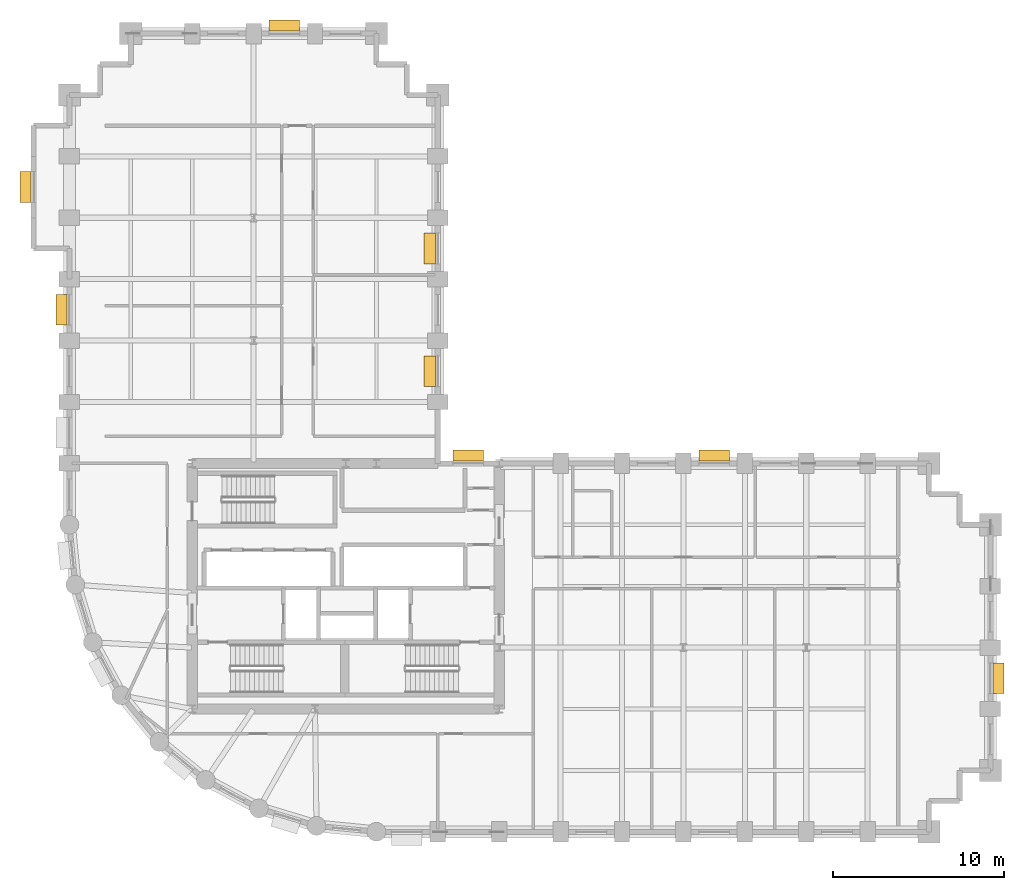
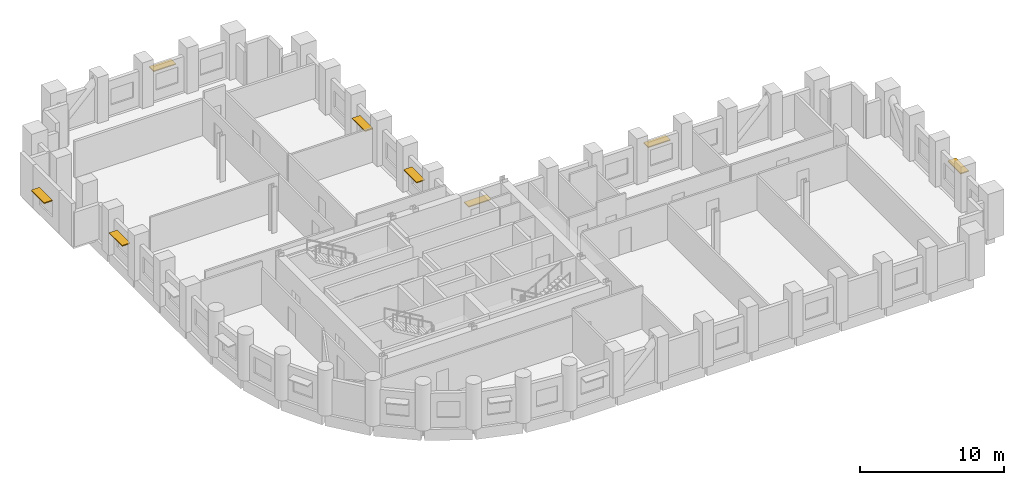
# One storey, part 11 of 11: 8 shading devices.
"""IFC4 building model written with IfcOpenShell, lengths in metres."""

from ifc_helpers import new_model, si_unit, direction, frame, origin, origin_2d, place, context, subcontext, project, spatial, rectangle, extrude, material, layer, layer_set, type_object, element, save


model = new_model("IFC4")

# Units and contexts
model_context = context("Model", 3, precision=1e-05, world=origin(), true_north=direction((0.0, 1.0)))
body_context = subcontext(model_context, "Body", "Model", "MODEL_VIEW")
ifc_project = project(units=[si_unit("LENGTHUNIT", "METRE"), si_unit("AREAUNIT", "SQUARE_METRE"), si_unit("VOLUMEUNIT", "CUBIC_METRE"), si_unit("PLANEANGLEUNIT", "RADIAN"), si_unit("MASSUNIT", "GRAM", prefix="KILO")], contexts=[model_context])

# Site, building, storey
site_placement = place(None, origin())
site = spatial("IfcSite", under=ifc_project, at=site_placement, CompositionType="ELEMENT")
building_placement = place(site_placement, origin())
building = spatial("IfcBuilding", under=site, at=building_placement, Name="Solnavia Interchange Tower", CompositionType="ELEMENT")
storey_placement = place(building_placement, frame((0.0, 0.0, 47.39990234375)))
storey = spatial("IfcBuildingStorey", under=building, at=storey_placement, Name="L11", CompositionType="ELEMENT", Elevation=47.39990234375)

# Shading devices
ifc_material = material(Name="Anodised Aluminium Sunshade", Category="aluminium")
ifc_layer = layer(ifc_material, 0.080078125)
ifc_layer_set = layer_set([ifc_layer], Name="Anodised Aluminium Sunshade")
shading_device_type = type_object("IfcShadingDeviceType", Name="Sunshade-Band-650", PredefinedType="SHUTTER", material=ifc_layer_set)
for number, where, z_axis, x_axis, name in (
    (1, (61.669921875, 12.60009765625, 2.219970703125), (0.0, 0.0, 1.0), (0.0, -1.0, 0.0), "SHD-L11-15 Horizontal sunshade band"),
    (2, (45.0, 25.669921875, 2.219970703125), (0.0, 0.0, 1.0), (1.0, 0.0, 0.0), "SHD-L11-25 Horizontal sunshade band"),
    (3, (30.577880859375, 25.669921875, 2.219970703125), (0.0, 0.0, 1.0), (1.0, 0.0, 0.0), "SHD-L11-29 Horizontal sunshade band"),
    (4, (28.330078125, 30.60009765625, 2.219970703125), (0.0, 0.0, 1.0), (0.0, 1.0, 0.0), "SHD-L11-31 Horizontal sunshade band"),
    (5, (28.330078125, 37.800048828125, 2.219970703125), (0.0, 0.0, 1.0), (0.0, 1.0, 0.0), "SHD-L11-33 Horizontal sunshade band"),
    (6, (19.800048828125, 50.8701171875, 2.219970703125), (0.0, 0.0, 1.0), (1.0, 0.0, 0.0), "SHD-L11-41 Horizontal sunshade band"),
    (7, (4.6298828125, 41.39990234375, 2.219970703125), (0.0, 0.0, 1.0), (0.0, 1.0, 0.0), "SHD-L11-51 Horizontal sunshade band"),
    (8, (6.72998046875, 34.199951171875, 2.219970703125), (0.0, 0.0, 1.0), (0.0, 1.0, 0.0), "SHD-L11-55 Horizontal sunshade band"),
):
    element("IfcShadingDevice", number, at=place(storey_placement, frame(where, z_axis=z_axis, x_axis=x_axis)), inside=storey, type_object=shading_device_type, Name=name, PredefinedType="SHUTTER", context=body_context, shape_type="SweptSolid", body=[
        extrude(rectangle(XDim=1.800048828125, YDim=0.64990234375, at=origin_2d()), origin(), (0.0, 0.0, 1.0), 0.080078125),
    ])

save(model, "model.ifc")
